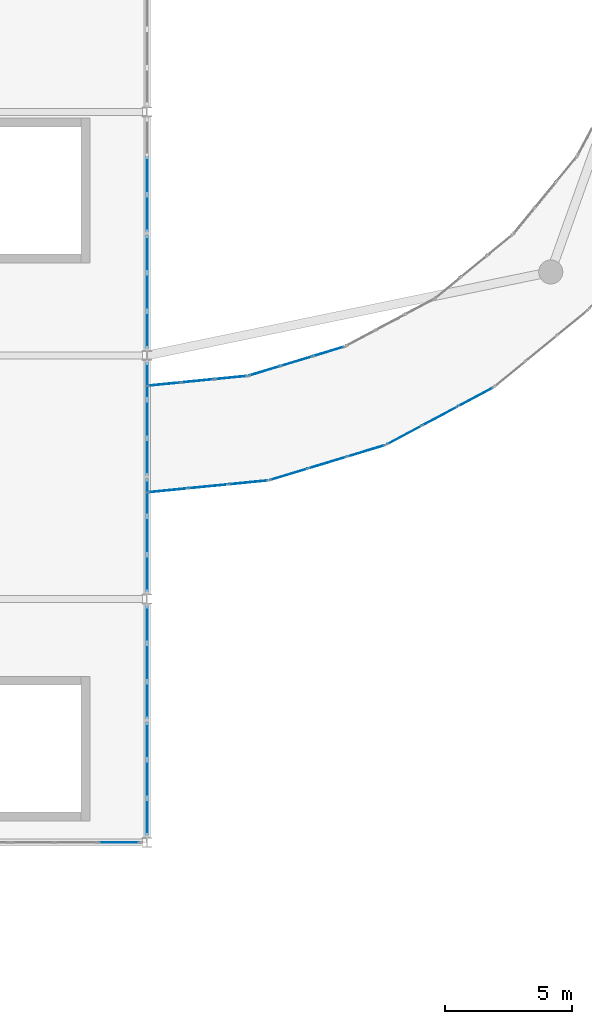
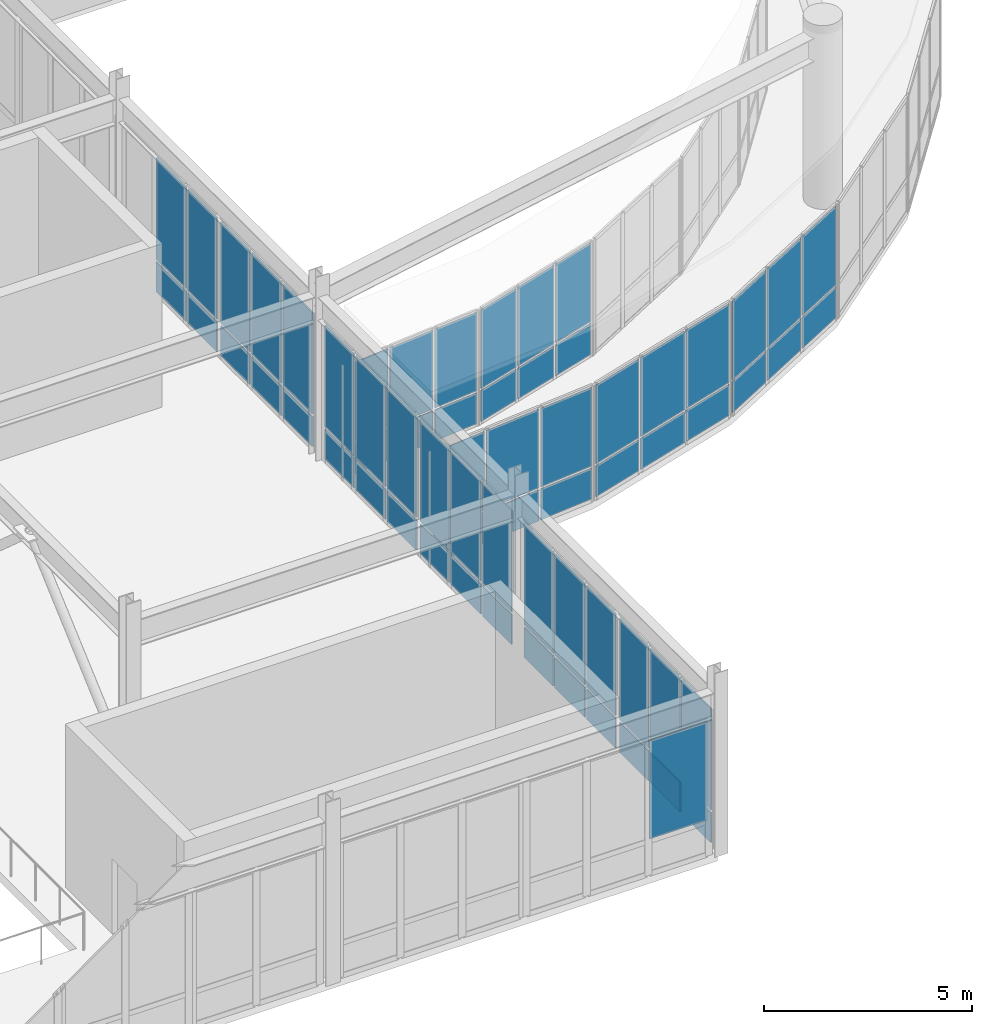
# One storey, part 35 of 68: 65 plates, 12 elements without a shape of their own.
"""IFC4 building model written with IfcOpenShell, lengths in metres."""

from ifc_helpers import new_model, si_unit, direction, frame, origin, origin_2d, place, context, subcontext, project, spatial, rectangle, extrude, material, layer, layer_set, type_object, element, aggregate, save


model = new_model("IFC4")

# Units and contexts
model_context = context("Model", 3, precision=1e-05, world=origin(), true_north=direction((0.0, 1.0)))
body_context = subcontext(model_context, "Body", "Model", "MODEL_VIEW")
ifc_project = project(units=[si_unit("LENGTHUNIT", "METRE"), si_unit("AREAUNIT", "SQUARE_METRE"), si_unit("VOLUMEUNIT", "CUBIC_METRE"), si_unit("PLANEANGLEUNIT", "RADIAN"), si_unit("MASSUNIT", "GRAM", prefix="KILO")], contexts=[model_context])

# Site, building, storey
site_placement = place(None, origin())
site = spatial("IfcSite", under=ifc_project, at=site_placement, CompositionType="ELEMENT")
building_placement = place(site_placement, origin())
building = spatial("IfcBuilding", under=site, at=building_placement, Name="Veldera Park Congress Hotel", CompositionType="ELEMENT")
storey_placement = place(building_placement, frame((0.0, 0.0, 10.800048828125)))
storey = spatial("IfcBuildingStorey", under=building, at=storey_placement, Name="L02", CompositionType="ELEMENT", Elevation=10.800048828125)

# Curtain wall, plate
ifc_material = material(Name="Low-E Triple Insulating Glass Unit (SHGC 0.22)", Category="glass")
curtain_wall_type_1 = type_object("IfcCurtainWallType", Name="CW-CNG", PredefinedType="NOTDEFINED", material=ifc_material)
curtain_wall_1_placement = place(storey_placement, origin())
curtain_wall_1 = element("IfcCurtainWall", 1, at=curtain_wall_1_placement, inside=storey, type_object=curtain_wall_type_1, Name="L02 Curtain Wall CW3-V1S-L02-064", PredefinedType="NOTDEFINED")
ifc_layer_1 = layer(ifc_material, 0.028076171875)
ifc_layer_set_1 = layer_set([ifc_layer_1], Name="Low-E Triple Insulating Glass Unit (SHGC 0.22)")
plate_type_1 = type_object("IfcPlateType", Name="CWP-IGU28", PredefinedType="CURTAIN_PANEL", material=ifc_layer_set_1)
plate_1_placement = place(storey_placement, frame((-2.703857421875, -21.0, 1.03759765625), z_axis=(0.0, 0.0, 1.0), x_axis=(1.0, 0.0, 0.0)))
plate_1 = element("IfcPlate", 2, at=plate_1_placement, type_object=plate_type_1, Name="CW-CNG panel 3.2", PredefinedType="CURTAIN_PANEL", context=body_context, shape_type="SweptSolid", body=[
    extrude(rectangle(XDim=1.604736328125, YDim=0.028076171875, at=origin_2d()), origin(), (0.0, 0.0, 1.0), 2.903564453125),
])
aggregate(curtain_wall_1, [plate_1])

# Curtain wall, plates
curtain_wall_type_2 = type_object("IfcCurtainWallType", Name="CW-BRG", PredefinedType="NOTDEFINED", material=ifc_material)
curtain_wall_2_placement = place(storey_placement, origin())
curtain_wall_2 = element("IfcCurtainWall", 3, at=curtain_wall_2_placement, inside=storey, type_object=curtain_wall_type_2, Name="L02 Curtain Wall CW3-BRGW-L02-A00", PredefinedType="NOTDEFINED")
plate_2_placement = place(storey_placement, frame((-0.78515625, -7.11962890625, 0.06005859375), z_axis=(0.0, 0.0, 1.0), x_axis=(0.995184320963, 0.098021259481, 0.0)))
plate_2 = element("IfcPlate", 4, at=plate_2_placement, type_object=plate_type_1, Name="CW-BRG panel 1.1", PredefinedType="CURTAIN_PANEL", context=body_context, shape_type="SweptSolid", body=[
    extrude(rectangle(XDim=1.517578125, YDim=0.028076171875, at=origin_2d()), origin(), (0.0, 0.0, 1.0), 0.909912109375),
])
plate_3_placement = place(storey_placement, frame((-0.78515625, -7.11962890625, 1.030029296875), z_axis=(0.0, 0.0, 1.0), x_axis=(0.995184320963, 0.098021259481, 0.0)))
plate_3 = element("IfcPlate", 5, at=plate_3_placement, type_object=plate_type_1, Name="CW-BRG panel 1.2", PredefinedType="CURTAIN_PANEL", context=body_context, shape_type="SweptSolid", body=[
    extrude(rectangle(XDim=1.517578125, YDim=0.028076171875, at=origin_2d()), origin(), (0.0, 0.0, 1.0), 2.31005859375),
])
plate_4_placement = place(storey_placement, frame((0.799560546875, -6.963623046875, 0.06005859375), z_axis=(0.0, 0.0, 1.0), x_axis=(0.995184320963, 0.098021259481, 0.0)))
plate_4 = element("IfcPlate", 6, at=plate_4_placement, type_object=plate_type_1, Name="CW-BRG panel 2.1", PredefinedType="CURTAIN_PANEL", context=body_context, shape_type="SweptSolid", body=[
    extrude(rectangle(XDim=1.54736328125, YDim=0.028076171875, at=origin_2d()), origin(), (0.0, 0.0, 1.0), 0.909912109375),
])
plate_5_placement = place(storey_placement, frame((0.799560546875, -6.963623046875, 1.030029296875), z_axis=(0.0, 0.0, 1.0), x_axis=(0.995184320963, 0.098021259481, 0.0)))
plate_5 = element("IfcPlate", 7, at=plate_5_placement, type_object=plate_type_1, Name="CW-BRG panel 2.2", PredefinedType="CURTAIN_PANEL", context=body_context, shape_type="SweptSolid", body=[
    extrude(rectangle(XDim=1.54736328125, YDim=0.028076171875, at=origin_2d()), origin(), (0.0, 0.0, 1.0), 2.31005859375),
])
plate_6_placement = place(storey_placement, frame((2.384521484375, -6.8076171875, 0.06005859375), z_axis=(0.0, 0.0, 1.0), x_axis=(0.995184320963, 0.098021259481, 0.0)))
plate_6 = element("IfcPlate", 8, at=plate_6_placement, type_object=plate_type_1, Name="CW-BRG panel 3.1", PredefinedType="CURTAIN_PANEL", context=body_context, shape_type="SweptSolid", body=[
    extrude(rectangle(XDim=1.517578125, YDim=0.028076171875, at=origin_2d()), origin(), (0.0, 0.0, 1.0), 0.909912109375),
])
plate_7_placement = place(storey_placement, frame((2.384521484375, -6.8076171875, 1.030029296875), z_axis=(0.0, 0.0, 1.0), x_axis=(0.995184320963, 0.098021259481, 0.0)))
plate_7 = element("IfcPlate", 9, at=plate_7_placement, type_object=plate_type_1, Name="CW-BRG panel 3.2", PredefinedType="CURTAIN_PANEL", context=body_context, shape_type="SweptSolid", body=[
    extrude(rectangle(XDim=1.517578125, YDim=0.028076171875, at=origin_2d()), origin(), (0.0, 0.0, 1.0), 2.31005859375),
])
aggregate(curtain_wall_2, [plate_2, plate_3, plate_4, plate_5, plate_6, plate_7])

curtain_wall_3_placement = place(storey_placement, origin())
curtain_wall_3 = element("IfcCurtainWall", 10, at=curtain_wall_3_placement, inside=storey, type_object=curtain_wall_type_2, Name="L02 Curtain Wall CW3-BRGW-L02-A01", PredefinedType="NOTDEFINED")
plate_8_placement = place(storey_placement, frame((3.982666015625, -6.48974609375, 0.06005859375), z_axis=(0.0, 0.0, 1.0), x_axis=(0.956939429957, 0.290287663177, 0.0)))
plate_8 = element("IfcPlate", 11, at=plate_8_placement, type_object=plate_type_1, Name="CW-BRG panel 1.1", PredefinedType="CURTAIN_PANEL", context=body_context, shape_type="SweptSolid", body=[
    extrude(rectangle(XDim=1.517578125, YDim=0.028076171875, at=origin_2d()), origin(), (0.0, 0.0, 1.0), 0.909912109375),
])
plate_9_placement = place(storey_placement, frame((3.982666015625, -6.48974609375, 1.030029296875), z_axis=(0.0, 0.0, 1.0), x_axis=(0.956939429957, 0.290287663177, 0.0)))
plate_9 = element("IfcPlate", 12, at=plate_9_placement, type_object=plate_type_1, Name="CW-BRG panel 1.2", PredefinedType="CURTAIN_PANEL", context=body_context, shape_type="SweptSolid", body=[
    extrude(rectangle(XDim=1.517578125, YDim=0.028076171875, at=origin_2d()), origin(), (0.0, 0.0, 1.0), 2.31005859375),
])
plate_10_placement = place(storey_placement, frame((5.506591796875, -6.02734375, 0.06005859375), z_axis=(0.0, 0.0, 1.0), x_axis=(0.956939429957, 0.290287663177, 0.0)))
plate_10 = element("IfcPlate", 13, at=plate_10_placement, type_object=plate_type_1, Name="CW-BRG panel 2.1", PredefinedType="CURTAIN_PANEL", context=body_context, shape_type="SweptSolid", body=[
    extrude(rectangle(XDim=1.547607421875, YDim=0.028076171875, at=origin_2d()), origin(), (0.0, 0.0, 1.0), 0.909912109375),
])
plate_11_placement = place(storey_placement, frame((5.506591796875, -6.02734375, 1.030029296875), z_axis=(0.0, 0.0, 1.0), x_axis=(0.956939429957, 0.290287663177, 0.0)))
plate_11 = element("IfcPlate", 14, at=plate_11_placement, type_object=plate_type_1, Name="CW-BRG panel 2.2", PredefinedType="CURTAIN_PANEL", context=body_context, shape_type="SweptSolid", body=[
    extrude(rectangle(XDim=1.547607421875, YDim=0.028076171875, at=origin_2d()), origin(), (0.0, 0.0, 1.0), 2.31005859375),
])
plate_12_placement = place(storey_placement, frame((7.030517578125, -5.565185546875, 0.06005859375), z_axis=(0.0, 0.0, 1.0), x_axis=(0.956939429957, 0.290287663177, 0.0)))
plate_12 = element("IfcPlate", 15, at=plate_12_placement, type_object=plate_type_1, Name="CW-BRG panel 3.1", PredefinedType="CURTAIN_PANEL", context=body_context, shape_type="SweptSolid", body=[
    extrude(rectangle(XDim=1.517578125, YDim=0.028076171875, at=origin_2d()), origin(), (0.0, 0.0, 1.0), 0.909912109375),
])
plate_13_placement = place(storey_placement, frame((7.030517578125, -5.565185546875, 1.030029296875), z_axis=(0.0, 0.0, 1.0), x_axis=(0.956939429957, 0.290287663177, 0.0)))
plate_13 = element("IfcPlate", 16, at=plate_13_placement, type_object=plate_type_1, Name="CW-BRG panel 3.2", PredefinedType="CURTAIN_PANEL", context=body_context, shape_type="SweptSolid", body=[
    extrude(rectangle(XDim=1.517578125, YDim=0.028076171875, at=origin_2d()), origin(), (0.0, 0.0, 1.0), 2.31005859375),
])
aggregate(curtain_wall_3, [plate_8, plate_9, plate_10, plate_11, plate_12, plate_13])

curtain_wall_4_placement = place(storey_placement, origin())
curtain_wall_4 = element("IfcCurtainWall", 17, at=curtain_wall_4_placement, inside=storey, type_object=curtain_wall_type_2, Name="L02 Curtain Wall CW3-BRGW-L02-A02", PredefinedType="NOTDEFINED")
plate_14_placement = place(storey_placement, frame((8.5361328125, -4.94140625, 0.06005859375), z_axis=(0.0, 0.0, 1.0), x_axis=(0.881927804203, 0.471384501415, 0.0)))
plate_14 = element("IfcPlate", 18, at=plate_14_placement, type_object=plate_type_1, Name="CW-BRG panel 1.1", PredefinedType="CURTAIN_PANEL", context=body_context, shape_type="SweptSolid", body=[
    extrude(rectangle(XDim=1.517578125, YDim=0.028076171875, at=origin_2d()), origin(), (0.0, 0.0, 1.0), 0.909912109375),
])
plate_15_placement = place(storey_placement, frame((8.5361328125, -4.94140625, 1.030029296875), z_axis=(0.0, 0.0, 1.0), x_axis=(0.881927804203, 0.471384501415, 0.0)))
plate_15 = element("IfcPlate", 19, at=plate_15_placement, type_object=plate_type_1, Name="CW-BRG panel 1.2", PredefinedType="CURTAIN_PANEL", context=body_context, shape_type="SweptSolid", body=[
    extrude(rectangle(XDim=1.517578125, YDim=0.028076171875, at=origin_2d()), origin(), (0.0, 0.0, 1.0), 2.31005859375),
])
plate_16_placement = place(storey_placement, frame((9.9404296875, -4.19091796875, 0.06005859375), z_axis=(0.0, 0.0, 1.0), x_axis=(0.881927804203, 0.471384501415, 0.0)))
plate_16 = element("IfcPlate", 20, at=plate_16_placement, type_object=plate_type_1, Name="CW-BRG panel 2.1", PredefinedType="CURTAIN_PANEL", context=body_context, shape_type="SweptSolid", body=[
    extrude(rectangle(XDim=1.54736328125, YDim=0.028076171875, at=origin_2d()), origin(), (0.0, 0.0, 1.0), 0.909912109375),
])
plate_17_placement = place(storey_placement, frame((9.9404296875, -4.19091796875, 1.030029296875), z_axis=(0.0, 0.0, 1.0), x_axis=(0.881927804203, 0.471384501415, 0.0)))
plate_17 = element("IfcPlate", 21, at=plate_17_placement, type_object=plate_type_1, Name="CW-BRG panel 2.2", PredefinedType="CURTAIN_PANEL", context=body_context, shape_type="SweptSolid", body=[
    extrude(rectangle(XDim=1.54736328125, YDim=0.028076171875, at=origin_2d()), origin(), (0.0, 0.0, 1.0), 2.31005859375),
])
plate_18_placement = place(storey_placement, frame((11.344970703125, -3.440185546875, 0.06005859375), z_axis=(0.0, 0.0, 1.0), x_axis=(0.881927804203, 0.471384501415, 0.0)))
plate_18 = element("IfcPlate", 22, at=plate_18_placement, type_object=plate_type_1, Name="CW-BRG panel 3.1", PredefinedType="CURTAIN_PANEL", context=body_context, shape_type="SweptSolid", body=[
    extrude(rectangle(XDim=1.517578125, YDim=0.028076171875, at=origin_2d()), origin(), (0.0, 0.0, 1.0), 0.909912109375),
])
plate_19_placement = place(storey_placement, frame((11.344970703125, -3.440185546875, 1.030029296875), z_axis=(0.0, 0.0, 1.0), x_axis=(0.881927804203, 0.471384501415, 0.0)))
plate_19 = element("IfcPlate", 23, at=plate_19_placement, type_object=plate_type_1, Name="CW-BRG panel 3.2", PredefinedType="CURTAIN_PANEL", context=body_context, shape_type="SweptSolid", body=[
    extrude(rectangle(XDim=1.517578125, YDim=0.028076171875, at=origin_2d()), origin(), (0.0, 0.0, 1.0), 2.31005859375),
])
aggregate(curtain_wall_4, [plate_14, plate_15, plate_16, plate_17, plate_18, plate_19])

curtain_wall_5_placement = place(storey_placement, origin())
curtain_wall_5 = element("IfcCurtainWall", 24, at=curtain_wall_5_placement, inside=storey, type_object=curtain_wall_type_2, Name="L02 Curtain Wall CW3-BRGW-L02-B15", PredefinedType="NOTDEFINED")
plate_20_placement = place(storey_placement, frame((5.554443359375, -1.64501953125, 0.06005859375), z_axis=(0.0, 0.0, 1.0), x_axis=(-0.956938767513, -0.290289846929, 0.0)))
plate_20 = element("IfcPlate", 25, at=plate_20_placement, type_object=plate_type_1, Name="CW-BRG panel 1.1", PredefinedType="CURTAIN_PANEL", context=body_context, shape_type="SweptSolid", body=[
    extrude(rectangle(XDim=1.242919921875, YDim=0.028076171875, at=origin_2d()), origin(), (0.0, 0.0, 1.0), 0.909912109375),
])
plate_21_placement = place(storey_placement, frame((5.554443359375, -1.64501953125, 1.030029296875), z_axis=(0.0, 0.0, 1.0), x_axis=(-0.956938767513, -0.290289846929, 0.0)))
plate_21 = element("IfcPlate", 26, at=plate_21_placement, type_object=plate_type_1, Name="CW-BRG panel 1.2", PredefinedType="CURTAIN_PANEL", context=body_context, shape_type="SweptSolid", body=[
    extrude(rectangle(XDim=1.242919921875, YDim=0.028076171875, at=origin_2d()), origin(), (0.0, 0.0, 1.0), 2.31005859375),
])
plate_22_placement = place(storey_placement, frame((4.293212890625, -2.027587890625, 0.06005859375), z_axis=(0.0, 0.0, 1.0), x_axis=(-0.956938767513, -0.290289846929, 0.0)))
plate_22 = element("IfcPlate", 27, at=plate_22_placement, type_object=plate_type_1, Name="CW-BRG panel 2.1", PredefinedType="CURTAIN_PANEL", context=body_context, shape_type="SweptSolid", body=[
    extrude(rectangle(XDim=1.27294921875, YDim=0.028076171875, at=origin_2d()), origin(), (0.0, 0.0, 1.0), 0.909912109375),
])
plate_23_placement = place(storey_placement, frame((4.293212890625, -2.027587890625, 1.030029296875), z_axis=(0.0, 0.0, 1.0), x_axis=(-0.956938767513, -0.290289846929, 0.0)))
plate_23 = element("IfcPlate", 28, at=plate_23_placement, type_object=plate_type_1, Name="CW-BRG panel 2.2", PredefinedType="CURTAIN_PANEL", context=body_context, shape_type="SweptSolid", body=[
    extrude(rectangle(XDim=1.27294921875, YDim=0.028076171875, at=origin_2d()), origin(), (0.0, 0.0, 1.0), 2.31005859375),
])
plate_24_placement = place(storey_placement, frame((3.031982421875, -2.41015625, 0.06005859375), z_axis=(0.0, 0.0, 1.0), x_axis=(-0.956938767513, -0.290289846929, 0.0)))
plate_24 = element("IfcPlate", 29, at=plate_24_placement, type_object=plate_type_1, Name="CW-BRG panel 3.1", PredefinedType="CURTAIN_PANEL", context=body_context, shape_type="SweptSolid", body=[
    extrude(rectangle(XDim=1.242919921875, YDim=0.028076171875, at=origin_2d()), origin(), (0.0, 0.0, 1.0), 0.909912109375),
])
plate_25_placement = place(storey_placement, frame((3.031982421875, -2.41015625, 1.030029296875), z_axis=(0.0, 0.0, 1.0), x_axis=(-0.956938767513, -0.290289846929, 0.0)))
plate_25 = element("IfcPlate", 30, at=plate_25_placement, type_object=plate_type_1, Name="CW-BRG panel 3.2", PredefinedType="CURTAIN_PANEL", context=body_context, shape_type="SweptSolid", body=[
    extrude(rectangle(XDim=1.242919921875, YDim=0.028076171875, at=origin_2d()), origin(), (0.0, 0.0, 1.0), 2.31005859375),
])
aggregate(curtain_wall_5, [plate_20, plate_21, plate_22, plate_23, plate_24, plate_25])

curtain_wall_6_placement = place(storey_placement, origin())
curtain_wall_6 = element("IfcCurtainWall", 31, at=curtain_wall_6_placement, inside=storey, type_object=curtain_wall_type_2, Name="L02 Curtain Wall CW3-BRGW-L02-B16", PredefinedType="NOTDEFINED")
plate_26_placement = place(storey_placement, frame((1.70166015625, -2.6748046875, 0.06005859375), z_axis=(0.0, 0.0, 1.0), x_axis=(-0.99518414337, -0.098023062513, 0.0)))
plate_26 = element("IfcPlate", 32, at=plate_26_placement, type_object=plate_type_1, Name="CW-BRG panel 1.1", PredefinedType="CURTAIN_PANEL", context=body_context, shape_type="SweptSolid", body=[
    extrude(rectangle(XDim=1.242919921875, YDim=0.028076171875, at=origin_2d()), origin(), (0.0, 0.0, 1.0), 0.909912109375),
])
plate_27_placement = place(storey_placement, frame((1.70166015625, -2.6748046875, 1.030029296875), z_axis=(0.0, 0.0, 1.0), x_axis=(-0.99518414337, -0.098023062513, 0.0)))
plate_27 = element("IfcPlate", 33, at=plate_27_placement, type_object=plate_type_1, Name="CW-BRG panel 1.2", PredefinedType="CURTAIN_PANEL", context=body_context, shape_type="SweptSolid", body=[
    extrude(rectangle(XDim=1.242919921875, YDim=0.028076171875, at=origin_2d()), origin(), (0.0, 0.0, 1.0), 2.31005859375),
])
plate_28_placement = place(storey_placement, frame((0.389892578125, -2.803955078125, 0.06005859375), z_axis=(0.0, 0.0, 1.0), x_axis=(-0.99518414337, -0.098023062513, 0.0)))
plate_28 = element("IfcPlate", 34, at=plate_28_placement, type_object=plate_type_1, Name="CW-BRG panel 2.1", PredefinedType="CURTAIN_PANEL", context=body_context, shape_type="SweptSolid", body=[
    extrude(rectangle(XDim=1.27294921875, YDim=0.028076171875, at=origin_2d()), origin(), (0.0, 0.0, 1.0), 0.909912109375),
])
plate_29_placement = place(storey_placement, frame((0.389892578125, -2.803955078125, 1.030029296875), z_axis=(0.0, 0.0, 1.0), x_axis=(-0.99518414337, -0.098023062513, 0.0)))
plate_29 = element("IfcPlate", 35, at=plate_29_placement, type_object=plate_type_1, Name="CW-BRG panel 2.2", PredefinedType="CURTAIN_PANEL", context=body_context, shape_type="SweptSolid", body=[
    extrude(rectangle(XDim=1.27294921875, YDim=0.028076171875, at=origin_2d()), origin(), (0.0, 0.0, 1.0), 2.31005859375),
])
plate_30_placement = place(storey_placement, frame((-0.921875, -2.93310546875, 0.06005859375), z_axis=(0.0, 0.0, 1.0), x_axis=(-0.99518414337, -0.098023062513, 0.0)))
plate_30 = element("IfcPlate", 36, at=plate_30_placement, type_object=plate_type_1, Name="CW-BRG panel 3.1", PredefinedType="CURTAIN_PANEL", context=body_context, shape_type="SweptSolid", body=[
    extrude(rectangle(XDim=1.242919921875, YDim=0.028076171875, at=origin_2d()), origin(), (0.0, 0.0, 1.0), 0.909912109375),
])
plate_31_placement = place(storey_placement, frame((-0.921875, -2.93310546875, 1.030029296875), z_axis=(0.0, 0.0, 1.0), x_axis=(-0.99518414337, -0.098023062513, 0.0)))
plate_31 = element("IfcPlate", 37, at=plate_31_placement, type_object=plate_type_1, Name="CW-BRG panel 3.2", PredefinedType="CURTAIN_PANEL", context=body_context, shape_type="SweptSolid", body=[
    extrude(rectangle(XDim=1.242919921875, YDim=0.028076171875, at=origin_2d()), origin(), (0.0, 0.0, 1.0), 2.31005859375),
])
aggregate(curtain_wall_6, [plate_26, plate_27, plate_28, plate_29, plate_30, plate_31])

curtain_wall_type_3 = type_object("IfcCurtainWallType", Name="CW-POD", PredefinedType="NOTDEFINED", material=ifc_material)
curtain_wall_7_placement = place(storey_placement, origin())
curtain_wall_7 = element("IfcCurtainWall", 38, at=curtain_wall_7_placement, inside=storey, type_object=curtain_wall_type_3, Name="L02 Curtain Wall CW3-V1E-L02-065", PredefinedType="NOTDEFINED")
ifc_layer_2 = layer(ifc_material, 0.035888671875)
ifc_layer_set_2 = layer_set([ifc_layer_2], Name="Low-E Triple Insulating Glass Unit (SHGC 0.22)")
plate_type_2 = type_object("IfcPlateType", Name="CWP-IGU36", PredefinedType="CURTAIN_PANEL", material=ifc_layer_set_2)
plate_32_placement = place(storey_placement, frame((-1.60009765625, -19.995849609375, 0.080078125), z_axis=(0.0, 0.0, 1.0), x_axis=(0.0, 1.0, 0.0)))
plate_32 = element("IfcPlate", 39, at=plate_32_placement, type_object=plate_type_2, Name="CW-POD panel 1.1", PredefinedType="CURTAIN_PANEL", context=body_context, shape_type="SweptSolid", body=[
    extrude(rectangle(XDim=1.400390625, YDim=0.035888671875, at=origin_2d()), origin(), (0.0, 0.0, 1.0), 0.8798828125),
])
plate_33_placement = place(storey_placement, frame((-1.60009765625, -19.995849609375, 1.0400390625), z_axis=(0.0, 0.0, 1.0), x_axis=(0.0, 1.0, 0.0)))
plate_33 = element("IfcPlate", 40, at=plate_33_placement, type_object=plate_type_2, Name="CW-POD panel 1.2", PredefinedType="CURTAIN_PANEL", context=body_context, shape_type="SweptSolid", body=[
    extrude(rectangle(XDim=1.400390625, YDim=0.035888671875, at=origin_2d()), origin(), (0.0, 0.0, 1.0), 2.98193359375),
])
plate_34_placement = place(storey_placement, frame((-1.60009765625, -18.49560546875, 0.080078125), z_axis=(0.0, 0.0, 1.0), x_axis=(0.0, 1.0, 0.0)))
plate_34 = element("IfcPlate", 41, at=plate_34_placement, type_object=plate_type_2, Name="CW-POD panel 2.1", PredefinedType="CURTAIN_PANEL", context=body_context, shape_type="SweptSolid", body=[
    extrude(rectangle(XDim=1.4404296875, YDim=0.035888671875, at=origin_2d()), origin(), (0.0, 0.0, 1.0), 0.8798828125),
])
plate_35_placement = place(storey_placement, frame((-1.60009765625, -18.49560546875, 1.0400390625), z_axis=(0.0, 0.0, 1.0), x_axis=(0.0, 1.0, 0.0)))
plate_35 = element("IfcPlate", 42, at=plate_35_placement, type_object=plate_type_2, Name="CW-POD panel 2.2", PredefinedType="CURTAIN_PANEL", context=body_context, shape_type="SweptSolid", body=[
    extrude(rectangle(XDim=1.4404296875, YDim=0.035888671875, at=origin_2d()), origin(), (0.0, 0.0, 1.0), 2.98193359375),
])
plate_36_placement = place(storey_placement, frame((-1.60009765625, -16.9951171875, 0.080078125), z_axis=(0.0, 0.0, 1.0), x_axis=(0.0, 1.0, 0.0)))
plate_36 = element("IfcPlate", 43, at=plate_36_placement, type_object=plate_type_2, Name="CW-POD panel 3.1", PredefinedType="CURTAIN_PANEL", context=body_context, shape_type="SweptSolid", body=[
    extrude(rectangle(XDim=1.400390625, YDim=0.035888671875, at=origin_2d()), origin(), (0.0, 0.0, 1.0), 0.8798828125),
])
plate_37_placement = place(storey_placement, frame((-1.60009765625, -16.9951171875, 1.0400390625), z_axis=(0.0, 0.0, 1.0), x_axis=(0.0, 1.0, 0.0)))
plate_37 = element("IfcPlate", 44, at=plate_37_placement, type_object=plate_type_2, Name="CW-POD panel 3.2", PredefinedType="CURTAIN_PANEL", context=body_context, shape_type="SweptSolid", body=[
    extrude(rectangle(XDim=1.400390625, YDim=0.035888671875, at=origin_2d()), origin(), (0.0, 0.0, 1.0), 2.98193359375),
])
aggregate(curtain_wall_7, [plate_32, plate_33, plate_34, plate_35, plate_36, plate_37])

curtain_wall_8_placement = place(storey_placement, origin())
curtain_wall_8 = element("IfcCurtainWall", 45, at=curtain_wall_8_placement, inside=storey, type_object=curtain_wall_type_3, Name="L02 Curtain Wall CW3-V1E-L02-066", PredefinedType="NOTDEFINED")
plate_38_placement = place(storey_placement, frame((-1.60009765625, -15.40478515625, 0.080078125), z_axis=(0.0, 0.0, 1.0), x_axis=(0.0, 1.0, 0.0)))
plate_38 = element("IfcPlate", 46, at=plate_38_placement, type_object=plate_type_2, Name="CW-POD panel 1.1", PredefinedType="CURTAIN_PANEL", context=body_context, shape_type="SweptSolid", body=[
    extrude(rectangle(XDim=1.400390625, YDim=0.035888671875, at=origin_2d()), origin(), (0.0, 0.0, 1.0), 0.8798828125),
])
plate_39_placement = place(storey_placement, frame((-1.60009765625, -15.40478515625, 1.0400390625), z_axis=(0.0, 0.0, 1.0), x_axis=(0.0, 1.0, 0.0)))
plate_39 = element("IfcPlate", 47, at=plate_39_placement, type_object=plate_type_2, Name="CW-POD panel 1.2", PredefinedType="CURTAIN_PANEL", context=body_context, shape_type="SweptSolid", body=[
    extrude(rectangle(XDim=1.400390625, YDim=0.035888671875, at=origin_2d()), origin(), (0.0, 0.0, 1.0), 2.98193359375),
])
plate_40_placement = place(storey_placement, frame((-1.60009765625, -13.904541015625, 0.080078125), z_axis=(0.0, 0.0, 1.0), x_axis=(0.0, 1.0, 0.0)))
plate_40 = element("IfcPlate", 48, at=plate_40_placement, type_object=plate_type_2, Name="CW-POD panel 2.1", PredefinedType="CURTAIN_PANEL", context=body_context, shape_type="SweptSolid", body=[
    extrude(rectangle(XDim=1.4404296875, YDim=0.035888671875, at=origin_2d()), origin(), (0.0, 0.0, 1.0), 0.8798828125),
])
plate_41_placement = place(storey_placement, frame((-1.60009765625, -13.904541015625, 1.0400390625), z_axis=(0.0, 0.0, 1.0), x_axis=(0.0, 1.0, 0.0)))
plate_41 = element("IfcPlate", 49, at=plate_41_placement, type_object=plate_type_2, Name="CW-POD panel 2.2", PredefinedType="CURTAIN_PANEL", context=body_context, shape_type="SweptSolid", body=[
    extrude(rectangle(XDim=1.4404296875, YDim=0.035888671875, at=origin_2d()), origin(), (0.0, 0.0, 1.0), 2.98193359375),
])
plate_42_placement = place(storey_placement, frame((-1.60009765625, -12.404052734375, 0.080078125), z_axis=(0.0, 0.0, 1.0), x_axis=(0.0, 1.0, 0.0)))
plate_42 = element("IfcPlate", 50, at=plate_42_placement, type_object=plate_type_2, Name="CW-POD panel 3.1", PredefinedType="CURTAIN_PANEL", context=body_context, shape_type="SweptSolid", body=[
    extrude(rectangle(XDim=1.400390625, YDim=0.035888671875, at=origin_2d()), origin(), (0.0, 0.0, 1.0), 0.8798828125),
])
plate_43_placement = place(storey_placement, frame((-1.60009765625, -12.404052734375, 1.0400390625), z_axis=(0.0, 0.0, 1.0), x_axis=(0.0, 1.0, 0.0)))
plate_43 = element("IfcPlate", 51, at=plate_43_placement, type_object=plate_type_2, Name="CW-POD panel 3.2", PredefinedType="CURTAIN_PANEL", context=body_context, shape_type="SweptSolid", body=[
    extrude(rectangle(XDim=1.400390625, YDim=0.035888671875, at=origin_2d()), origin(), (0.0, 0.0, 1.0), 2.98193359375),
])
aggregate(curtain_wall_8, [plate_38, plate_39, plate_40, plate_41, plate_42, plate_43])

curtain_wall_9_placement = place(storey_placement, origin())
curtain_wall_9 = element("IfcCurtainWall", 52, at=curtain_wall_9_placement, inside=storey, type_object=curtain_wall_type_3, Name="L02 Curtain Wall CW3-V1E-L02-067", PredefinedType="NOTDEFINED")
plate_44_placement = place(storey_placement, frame((-1.60009765625, -10.395751953125, 0.080078125), z_axis=(0.0, 0.0, 1.0), x_axis=(0.0, 1.0, 0.0)))
plate_44 = element("IfcPlate", 53, at=plate_44_placement, type_object=plate_type_2, Name="CW-POD panel 1.1", PredefinedType="CURTAIN_PANEL", context=body_context, shape_type="SweptSolid", body=[
    extrude(rectangle(XDim=1.400390625, YDim=0.035888671875, at=origin_2d()), origin(), (0.0, 0.0, 1.0), 0.8798828125),
])
plate_45_placement = place(storey_placement, frame((-1.60009765625, -10.395751953125, 1.0400390625), z_axis=(0.0, 0.0, 1.0), x_axis=(0.0, 1.0, 0.0)))
plate_45 = element("IfcPlate", 54, at=plate_45_placement, type_object=plate_type_2, Name="CW-POD panel 1.2", PredefinedType="CURTAIN_PANEL", context=body_context, shape_type="SweptSolid", body=[
    extrude(rectangle(XDim=1.400390625, YDim=0.035888671875, at=origin_2d()), origin(), (0.0, 0.0, 1.0), 2.98193359375),
])
plate_46_placement = place(storey_placement, frame((-1.60009765625, -8.8955078125, 0.080078125), z_axis=(0.0, 0.0, 1.0), x_axis=(0.0, 1.0, 0.0)))
plate_46 = element("IfcPlate", 55, at=plate_46_placement, type_object=plate_type_2, Name="CW-POD panel 2.1", PredefinedType="CURTAIN_PANEL", context=body_context, shape_type="SweptSolid", body=[
    extrude(rectangle(XDim=1.4404296875, YDim=0.035888671875, at=origin_2d()), origin(), (0.0, 0.0, 1.0), 0.8798828125),
])
plate_47_placement = place(storey_placement, frame((-1.60009765625, -8.8955078125, 1.0400390625), z_axis=(0.0, 0.0, 1.0), x_axis=(0.0, 1.0, 0.0)))
plate_47 = element("IfcPlate", 56, at=plate_47_placement, type_object=plate_type_2, Name="CW-POD panel 2.2", PredefinedType="CURTAIN_PANEL", context=body_context, shape_type="SweptSolid", body=[
    extrude(rectangle(XDim=1.4404296875, YDim=0.035888671875, at=origin_2d()), origin(), (0.0, 0.0, 1.0), 2.98193359375),
])
plate_48_placement = place(storey_placement, frame((-1.60009765625, -7.395263671875, 0.080078125), z_axis=(0.0, 0.0, 1.0), x_axis=(0.0, 1.0, 0.0)))
plate_48 = element("IfcPlate", 57, at=plate_48_placement, type_object=plate_type_2, Name="CW-POD panel 3.1", PredefinedType="CURTAIN_PANEL", context=body_context, shape_type="SweptSolid", body=[
    extrude(rectangle(XDim=1.400390625, YDim=0.035888671875, at=origin_2d()), origin(), (0.0, 0.0, 1.0), 0.8798828125),
])
plate_49_placement = place(storey_placement, frame((-1.60009765625, -7.395263671875, 1.0400390625), z_axis=(0.0, 0.0, 1.0), x_axis=(0.0, 1.0, 0.0)))
plate_49 = element("IfcPlate", 58, at=plate_49_placement, type_object=plate_type_2, Name="CW-POD panel 3.2", PredefinedType="CURTAIN_PANEL", context=body_context, shape_type="SweptSolid", body=[
    extrude(rectangle(XDim=1.400390625, YDim=0.035888671875, at=origin_2d()), origin(), (0.0, 0.0, 1.0), 2.98193359375),
])
aggregate(curtain_wall_9, [plate_44, plate_45, plate_46, plate_47, plate_48, plate_49])

curtain_wall_10_placement = place(storey_placement, origin())
curtain_wall_10 = element("IfcCurtainWall", 59, at=curtain_wall_10_placement, inside=storey, type_object=curtain_wall_type_3, Name="L02 Curtain Wall CW3-V1E-L02-068", PredefinedType="NOTDEFINED")
plate_50_placement = place(storey_placement, frame((-1.60009765625, -5.804931640625, 0.080078125), z_axis=(0.0, 0.0, 1.0), x_axis=(0.0, 1.0, 0.0)))
plate_50 = element("IfcPlate", 60, at=plate_50_placement, type_object=plate_type_2, Name="CW-POD panel 1.1", PredefinedType="CURTAIN_PANEL", context=body_context, shape_type="SweptSolid", body=[
    extrude(rectangle(XDim=1.400390625, YDim=0.035888671875, at=origin_2d()), origin(), (0.0, 0.0, 1.0), 0.8798828125),
])
plate_51_placement = place(storey_placement, frame((-1.60009765625, -5.804931640625, 1.0400390625), z_axis=(0.0, 0.0, 1.0), x_axis=(0.0, 1.0, 0.0)))
plate_51 = element("IfcPlate", 61, at=plate_51_placement, type_object=plate_type_2, Name="CW-POD panel 1.2", PredefinedType="CURTAIN_PANEL", context=body_context, shape_type="SweptSolid", body=[
    extrude(rectangle(XDim=1.400390625, YDim=0.035888671875, at=origin_2d()), origin(), (0.0, 0.0, 1.0), 2.98193359375),
])
plate_52_placement = place(storey_placement, frame((-1.60009765625, -4.304443359375, 0.080078125), z_axis=(0.0, 0.0, 1.0), x_axis=(0.0, 1.0, 0.0)))
plate_52 = element("IfcPlate", 62, at=plate_52_placement, type_object=plate_type_2, Name="CW-POD panel 2.1", PredefinedType="CURTAIN_PANEL", context=body_context, shape_type="SweptSolid", body=[
    extrude(rectangle(XDim=1.4404296875, YDim=0.035888671875, at=origin_2d()), origin(), (0.0, 0.0, 1.0), 0.8798828125),
])
plate_53_placement = place(storey_placement, frame((-1.60009765625, -4.304443359375, 1.0400390625), z_axis=(0.0, 0.0, 1.0), x_axis=(0.0, 1.0, 0.0)))
plate_53 = element("IfcPlate", 63, at=plate_53_placement, type_object=plate_type_2, Name="CW-POD panel 2.2", PredefinedType="CURTAIN_PANEL", context=body_context, shape_type="SweptSolid", body=[
    extrude(rectangle(XDim=1.4404296875, YDim=0.035888671875, at=origin_2d()), origin(), (0.0, 0.0, 1.0), 2.98193359375),
])
plate_54_placement = place(storey_placement, frame((-1.60009765625, -2.80419921875, 0.080078125), z_axis=(0.0, 0.0, 1.0), x_axis=(0.0, 1.0, 0.0)))
plate_54 = element("IfcPlate", 64, at=plate_54_placement, type_object=plate_type_2, Name="CW-POD panel 3.1", PredefinedType="CURTAIN_PANEL", context=body_context, shape_type="SweptSolid", body=[
    extrude(rectangle(XDim=1.400390625, YDim=0.035888671875, at=origin_2d()), origin(), (0.0, 0.0, 1.0), 0.8798828125),
])
plate_55_placement = place(storey_placement, frame((-1.60009765625, -2.80419921875, 1.0400390625), z_axis=(0.0, 0.0, 1.0), x_axis=(0.0, 1.0, 0.0)))
plate_55 = element("IfcPlate", 65, at=plate_55_placement, type_object=plate_type_2, Name="CW-POD panel 3.2", PredefinedType="CURTAIN_PANEL", context=body_context, shape_type="SweptSolid", body=[
    extrude(rectangle(XDim=1.400390625, YDim=0.035888671875, at=origin_2d()), origin(), (0.0, 0.0, 1.0), 2.98193359375),
])
aggregate(curtain_wall_10, [plate_50, plate_51, plate_52, plate_53, plate_54, plate_55])

curtain_wall_11_placement = place(storey_placement, origin())
curtain_wall_11 = element("IfcCurtainWall", 66, at=curtain_wall_11_placement, inside=storey, type_object=curtain_wall_type_3, Name="L02 Curtain Wall CW3-V1E-L02-069", PredefinedType="NOTDEFINED")
plate_56_placement = place(storey_placement, frame((-1.60009765625, -0.7958984375, 0.080078125), z_axis=(0.0, 0.0, 1.0), x_axis=(0.0, 1.0, 0.0)))
plate_56 = element("IfcPlate", 67, at=plate_56_placement, type_object=plate_type_2, Name="CW-POD panel 1.1", PredefinedType="CURTAIN_PANEL", context=body_context, shape_type="SweptSolid", body=[
    extrude(rectangle(XDim=1.400390625, YDim=0.035888671875, at=origin_2d()), origin(), (0.0, 0.0, 1.0), 0.8798828125),
])
plate_57_placement = place(storey_placement, frame((-1.60009765625, -0.7958984375, 1.0400390625), z_axis=(0.0, 0.0, 1.0), x_axis=(0.0, 1.0, 0.0)))
plate_57 = element("IfcPlate", 68, at=plate_57_placement, type_object=plate_type_2, Name="CW-POD panel 1.2", PredefinedType="CURTAIN_PANEL", context=body_context, shape_type="SweptSolid", body=[
    extrude(rectangle(XDim=1.400390625, YDim=0.035888671875, at=origin_2d()), origin(), (0.0, 0.0, 1.0), 2.98193359375),
])
plate_58_placement = place(storey_placement, frame((-1.60009765625, 0.70458984375, 0.080078125), z_axis=(0.0, 0.0, 1.0), x_axis=(0.0, 1.0, 0.0)))
plate_58 = element("IfcPlate", 69, at=plate_58_placement, type_object=plate_type_2, Name="CW-POD panel 2.1", PredefinedType="CURTAIN_PANEL", context=body_context, shape_type="SweptSolid", body=[
    extrude(rectangle(XDim=1.4404296875, YDim=0.035888671875, at=origin_2d()), origin(), (0.0, 0.0, 1.0), 0.8798828125),
])
plate_59_placement = place(storey_placement, frame((-1.60009765625, 0.70458984375, 1.0400390625), z_axis=(0.0, 0.0, 1.0), x_axis=(0.0, 1.0, 0.0)))
plate_59 = element("IfcPlate", 70, at=plate_59_placement, type_object=plate_type_2, Name="CW-POD panel 2.2", PredefinedType="CURTAIN_PANEL", context=body_context, shape_type="SweptSolid", body=[
    extrude(rectangle(XDim=1.4404296875, YDim=0.035888671875, at=origin_2d()), origin(), (0.0, 0.0, 1.0), 2.98193359375),
])
plate_60_placement = place(storey_placement, frame((-1.60009765625, 2.204833984375, 0.080078125), z_axis=(0.0, 0.0, 1.0), x_axis=(0.0, 1.0, 0.0)))
plate_60 = element("IfcPlate", 71, at=plate_60_placement, type_object=plate_type_2, Name="CW-POD panel 3.1", PredefinedType="CURTAIN_PANEL", context=body_context, shape_type="SweptSolid", body=[
    extrude(rectangle(XDim=1.400390625, YDim=0.035888671875, at=origin_2d()), origin(), (0.0, 0.0, 1.0), 0.8798828125),
])
plate_61_placement = place(storey_placement, frame((-1.60009765625, 2.204833984375, 1.0400390625), z_axis=(0.0, 0.0, 1.0), x_axis=(0.0, 1.0, 0.0)))
plate_61 = element("IfcPlate", 72, at=plate_61_placement, type_object=plate_type_2, Name="CW-POD panel 3.2", PredefinedType="CURTAIN_PANEL", context=body_context, shape_type="SweptSolid", body=[
    extrude(rectangle(XDim=1.400390625, YDim=0.035888671875, at=origin_2d()), origin(), (0.0, 0.0, 1.0), 2.98193359375),
])
aggregate(curtain_wall_11, [plate_56, plate_57, plate_58, plate_59, plate_60, plate_61])

curtain_wall_12_placement = place(storey_placement, origin())
curtain_wall_12 = element("IfcCurtainWall", 73, at=curtain_wall_12_placement, inside=storey, type_object=curtain_wall_type_3, Name="L02 Curtain Wall CW3-V1E-L02-070", PredefinedType="NOTDEFINED")
plate_62_placement = place(storey_placement, frame((-1.60009765625, 3.795166015625, 0.080078125), z_axis=(0.0, 0.0, 1.0), x_axis=(0.0, 1.0, 0.0)))
plate_62 = element("IfcPlate", 74, at=plate_62_placement, type_object=plate_type_2, Name="CW-POD panel 1.1", PredefinedType="CURTAIN_PANEL", context=body_context, shape_type="SweptSolid", body=[
    extrude(rectangle(XDim=1.400390625, YDim=0.035888671875, at=origin_2d()), origin(), (0.0, 0.0, 1.0), 0.8798828125),
])
plate_63_placement = place(storey_placement, frame((-1.60009765625, 3.795166015625, 1.0400390625), z_axis=(0.0, 0.0, 1.0), x_axis=(0.0, 1.0, 0.0)))
plate_63 = element("IfcPlate", 75, at=plate_63_placement, type_object=plate_type_2, Name="CW-POD panel 1.2", PredefinedType="CURTAIN_PANEL", context=body_context, shape_type="SweptSolid", body=[
    extrude(rectangle(XDim=1.400390625, YDim=0.035888671875, at=origin_2d()), origin(), (0.0, 0.0, 1.0), 2.98193359375),
])
plate_64_placement = place(storey_placement, frame((-1.60009765625, 5.29541015625, 0.080078125), z_axis=(0.0, 0.0, 1.0), x_axis=(0.0, 1.0, 0.0)))
plate_64 = element("IfcPlate", 76, at=plate_64_placement, type_object=plate_type_2, Name="CW-POD panel 2.1", PredefinedType="CURTAIN_PANEL", context=body_context, shape_type="SweptSolid", body=[
    extrude(rectangle(XDim=1.4404296875, YDim=0.035888671875, at=origin_2d()), origin(), (0.0, 0.0, 1.0), 0.8798828125),
])
plate_65_placement = place(storey_placement, frame((-1.60009765625, 5.29541015625, 1.0400390625), z_axis=(0.0, 0.0, 1.0), x_axis=(0.0, 1.0, 0.0)))
plate_65 = element("IfcPlate", 77, at=plate_65_placement, type_object=plate_type_2, Name="CW-POD panel 2.2", PredefinedType="CURTAIN_PANEL", context=body_context, shape_type="SweptSolid", body=[
    extrude(rectangle(XDim=1.4404296875, YDim=0.035888671875, at=origin_2d()), origin(), (0.0, 0.0, 1.0), 2.98193359375),
])
aggregate(curtain_wall_12, [plate_62, plate_63, plate_64, plate_65])

save(model, "model.ifc")
